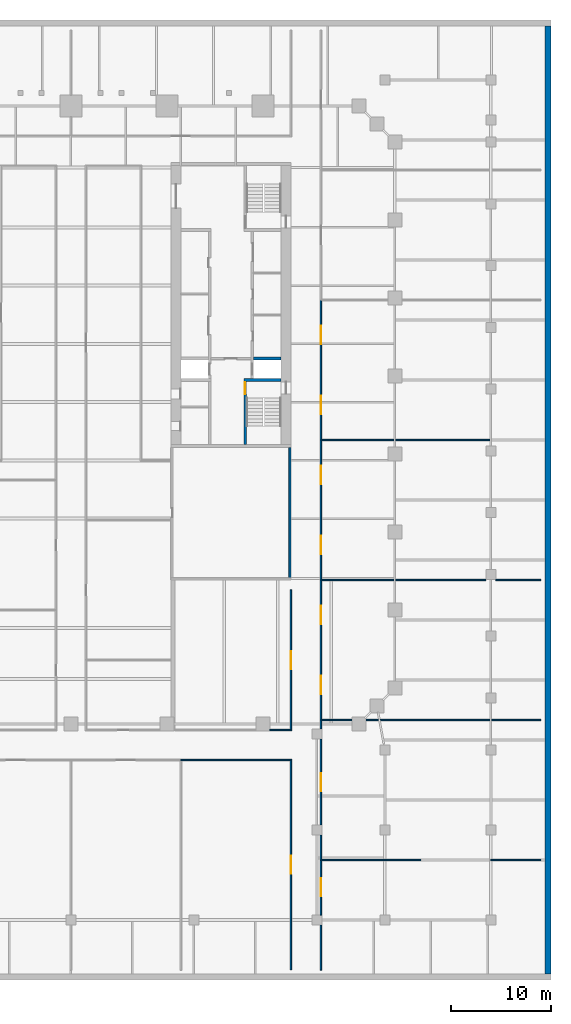
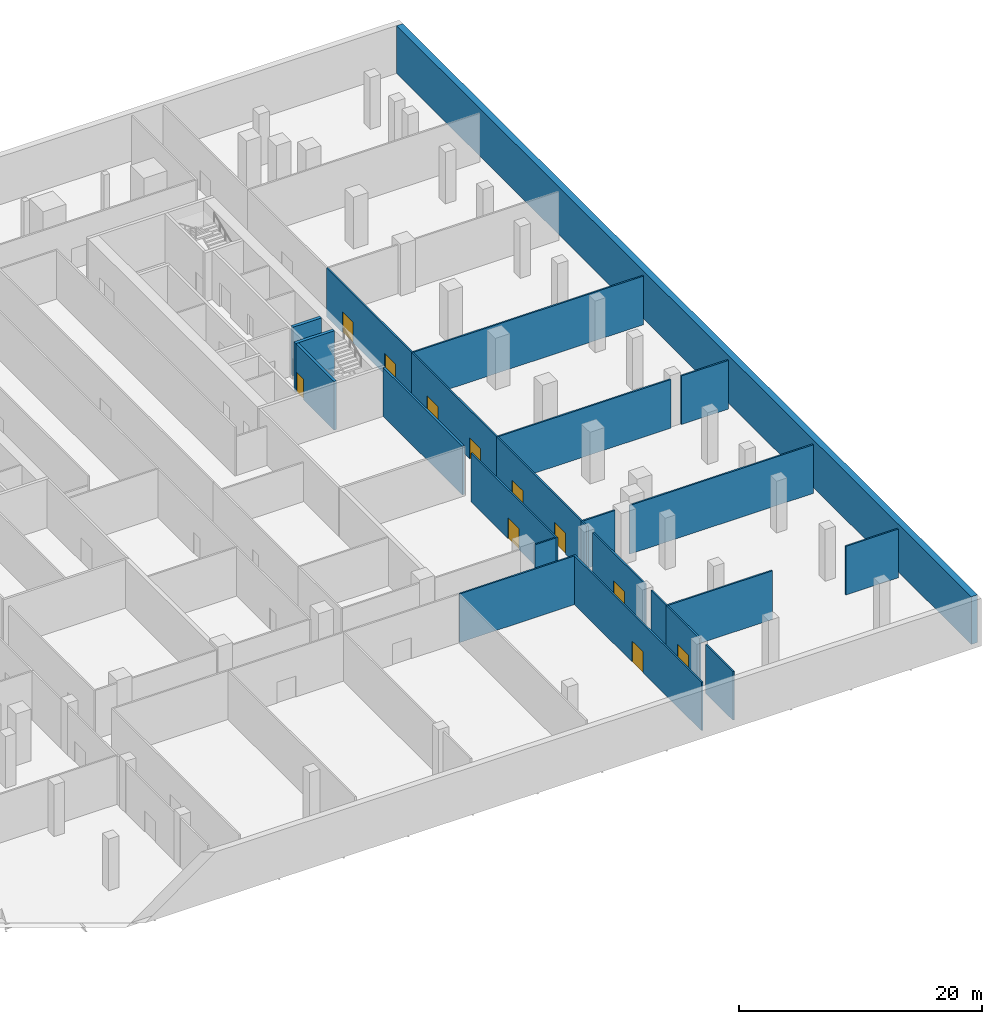
# One storey, part 10 of 15: 24 walls, 11 doors, 11 openings.
"""IFC4 building model written with IfcOpenShell, lengths in metres."""

from ifc_helpers import new_model, si_unit, direction, frame, frame_2d, origin, place, context, subcontext, project, spatial, rectangle, extrude, material, layer, layer_set, type_object, element, fill, save


model = new_model("IFC4")

# Units and contexts
model_context = context("Model", 3, precision=1e-05, world=origin(), true_north=direction((0.0, 1.0)))
body_context = subcontext(model_context, "Body", "Model", "MODEL_VIEW")
ifc_project = project(units=[si_unit("LENGTHUNIT", "METRE"), si_unit("AREAUNIT", "SQUARE_METRE"), si_unit("VOLUMEUNIT", "CUBIC_METRE"), si_unit("PLANEANGLEUNIT", "RADIAN"), si_unit("MASSUNIT", "GRAM", prefix="KILO")], contexts=[model_context])

# Site, building, storey
site_placement = place(None, origin())
site = spatial("IfcSite", under=ifc_project, at=site_placement, CompositionType="ELEMENT")
building_placement = place(site_placement, origin())
building = spatial("IfcBuilding", under=site, at=building_placement, Name="Ogive Exchange Tower", CompositionType="ELEMENT")
storey_placement = place(building_placement, frame((0.0, 0.0, -5.199951171875)))
storey = spatial("IfcBuildingStorey", under=building, at=storey_placement, Name="B1", CompositionType="ELEMENT", Elevation=-5.199951171875)

# Walls
ifc_material_1 = material(Name="Concrete C50/60", Category="concrete")
ifc_layer_1 = layer(ifc_material_1, 0.60009765625)
ifc_layer_set_1 = layer_set([ifc_layer_1], Name="Concrete C50/60 retaining wall 600")
wall_type_1 = type_object("IfcWallType", Name="Concrete C50/60 retaining wall 600", PredefinedType="SOLIDWALL", material=ifc_layer_set_1)
wall_1_placement = place(storey_placement, frame((47.699951171875, -55.39990234375, 0.0), z_axis=(0.0, 0.0, 1.0), x_axis=(0.0, 1.0, 0.0)))
element("IfcWall", 1, at=wall_1_placement, inside=storey, type_object=wall_type_1, Name="Retaining wall E", PredefinedType="SOLIDWALL", context=body_context, shape_type="SweptSolid", body=[
    extrude(rectangle(XDim=94.7998046875, YDim=0.60009765625, at=frame_2d((47.39990234375, 0.0))), origin(), (0.0, 0.0, 1.0), 4.800048828125),
])
ifc_material_2 = material(Name="Fire partition EI 60 150")
ifc_layer_2 = layer(ifc_material_2, 0.14990234375)
ifc_layer_set_2 = layer_set([ifc_layer_2], Name="Fire partition EI 60 150")
wall_type_2 = type_object("IfcWallType", Name="Fire partition EI 60 150", PredefinedType="PARTITIONING", material=ifc_layer_set_2)
wall_2_placement = place(storey_placement, frame((25.074951171875, -44.0, 0.0), z_axis=(0.0, 0.0, 1.0), x_axis=(1.0, 0.0, 0.0)))
element("IfcWall", 2, at=wall_2_placement, inside=storey, type_object=wall_type_2, Name="B1-PWL-001", PredefinedType="PARTITIONING", context=body_context, shape_type="SweptSolid", body=[
    extrude(rectangle(XDim=9.925048828125, YDim=0.14990234375, at=frame_2d((4.96240234375, 0.0))), origin(), (0.0, 0.0, 1.0), 4.89990234375),
])
wall_3_placement = place(storey_placement, frame((42.0, -44.0, 0.0), z_axis=(0.0, 0.0, 1.0), x_axis=(1.0, 0.0, 0.0)))
element("IfcWall", 3, at=wall_3_placement, inside=storey, type_object=wall_type_2, Name="B1-PWL-002", PredefinedType="PARTITIONING", context=body_context, shape_type="SweptSolid", body=[
    extrude(rectangle(XDim=5.0, YDim=0.14990234375, at=frame_2d((2.5, 0.0))), origin(), (0.0, 0.0, 1.0), 4.89990234375),
])
wall_4_placement = place(storey_placement, frame((11.0, -34.0, 0.0), z_axis=(0.0, 0.0, 1.0), x_axis=(1.0, 0.0, 0.0)))
element("IfcWall", 4, at=wall_4_placement, inside=storey, type_object=wall_type_2, Name="B1-PWL-007", PredefinedType="PARTITIONING", context=body_context, shape_type="SweptSolid", body=[
    extrude(rectangle(XDim=10.925048828125, YDim=0.14990234375, at=frame_2d((5.46240234375, 0.0))), origin(), (0.0, 0.0, 1.0), 4.89990234375),
])
wall_5_placement = place(storey_placement, frame((19.89990234375, -31.0, 0.0), z_axis=(0.0, 0.0, 1.0), x_axis=(1.0, 0.0, 0.0)))
element("IfcWall", 5, at=wall_5_placement, inside=storey, type_object=wall_type_2, Name="B1-PWL-013", PredefinedType="PARTITIONING", context=body_context, shape_type="SweptSolid", body=[
    extrude(rectangle(XDim=2.025146484375, YDim=0.14990234375, at=frame_2d((1.0126953125, 0.0))), origin(), (0.0, 0.0, 1.0), 4.89990234375),
])
wall_6_placement = place(storey_placement, frame((25.074951171875, -30.0, 0.0), z_axis=(0.0, 0.0, 1.0), x_axis=(1.0, 0.0, 0.0)))
element("IfcWall", 6, at=wall_6_placement, inside=storey, type_object=wall_type_2, Name="B1-PWL-014", PredefinedType="PARTITIONING", context=body_context, shape_type="SweptSolid", body=[
    extrude(rectangle(XDim=3.025146484375, YDim=0.14990234375, at=frame_2d((1.5126953125, 0.0))), origin(), (0.0, 0.0, 1.0), 4.89990234375),
])
wall_7_placement = place(storey_placement, frame((29.5, -30.0, 0.0), z_axis=(0.0, 0.0, 1.0), x_axis=(1.0, 0.0, 0.0)))
element("IfcWall", 7, at=wall_7_placement, inside=storey, type_object=wall_type_2, Name="B1-PWL-015", PredefinedType="PARTITIONING", context=body_context, shape_type="SweptSolid", body=[
    extrude(rectangle(XDim=17.5, YDim=0.14990234375, at=frame_2d((8.75, 0.0))), origin(), (0.0, 0.0, 1.0), 4.89990234375),
])
wall_8_placement = place(storey_placement, frame((25.074951171875, -16.0, 0.0), z_axis=(0.0, 0.0, 1.0), x_axis=(1.0, 0.0, 0.0)))
element("IfcWall", 8, at=wall_8_placement, inside=storey, type_object=wall_type_2, Name="B1-PWL-019", PredefinedType="PARTITIONING", context=body_context, shape_type="SweptSolid", body=[
    extrude(rectangle(XDim=16.425048828125, YDim=0.14990234375, at=frame_2d((8.21240234375, 0.0))), origin(), (0.0, 0.0, 1.0), 4.89990234375),
])
wall_9_placement = place(storey_placement, frame((42.5, -16.0, 0.0), z_axis=(0.0, 0.0, 1.0), x_axis=(1.0, 0.0, 0.0)))
element("IfcWall", 9, at=wall_9_placement, inside=storey, type_object=wall_type_2, Name="B1-PWL-020", PredefinedType="PARTITIONING", context=body_context, shape_type="SweptSolid", body=[
    extrude(rectangle(XDim=4.5, YDim=0.14990234375, at=frame_2d((2.25, 0.0))), origin(), (0.0, 0.0, 1.0), 4.89990234375),
])
wall_10_placement = place(storey_placement, frame((25.074951171875, -2.0, 0.0), z_axis=(0.0, 0.0, 1.0), x_axis=(1.0, 0.0, 0.0)))
element("IfcWall", 10, at=wall_10_placement, inside=storey, type_object=wall_type_2, Name="B1-PWL-026", PredefinedType="PARTITIONING", context=body_context, shape_type="SweptSolid", body=[
    extrude(rectangle(XDim=21.925048828125, YDim=0.14990234375, at=frame_2d((10.96240234375, 0.0))), origin(), (0.0, 0.0, 1.0), 4.89990234375),
])

# Wall, opening, door
wall_11_placement = place(storey_placement, frame((22.0, -55.0, 0.0), z_axis=(0.0, 0.0, 1.0), x_axis=(0.0, 1.0, 0.0)))
wall_11 = element("IfcWall", 11, at=wall_11_placement, inside=storey, type_object=wall_type_2, Name="B1-PWL-066", PredefinedType="PARTITIONING", context=body_context, shape_type="SweptSolid", body=[
    extrude(rectangle(XDim=21.074951171875, YDim=0.14990234375, at=frame_2d((10.53759765625, 0.0))), origin(), (0.0, 0.0, 1.0), 4.89990234375),
])
opening_1_placement = place(wall_11_placement, frame((9.637451171875, 0.0, 0.0)))
opening_1 = element("IfcOpeningElement", 12, at=opening_1_placement, cuts=wall_11, Name="Opening B1-I32", PredefinedType="OPENING", context=body_context, shape_type="SweptSolid", body=[
    extrude(rectangle(XDim=1.800048828125, YDim=2.10009765625, at=frame_2d((0.89990234375, 1.050048828125))), frame((0.0, 0.0849609375, 0.0), z_axis=(0.0, -1.0, 0.0), x_axis=(1.0, 0.0, 0.0)), (0.0, 0.0, 1.0), 0.169921875),
])
ifc_material_3 = material(Name="Fire door FD 30S 1800 x 2100")
door_type_1 = type_object("IfcDoorType", Name="Fire door FD 30S 1800 x 2100", OperationType="DOUBLE_DOOR_SINGLE_SWING", PredefinedType="DOOR", material=ifc_material_3)
door_1_placement = place(opening_1_placement, origin())
door_1 = element("IfcDoor", 13, at=door_1_placement, inside=storey, type_object=door_type_1, Name="B1-IDR-032", ObjectType="DT4", OperationType="SINGLE_SWING_RIGHT", OverallHeight=2.10009765625, OverallWidth=1.800048828125, PredefinedType="DOOR", context=body_context, shape_type="SweptSolid", body=[
    extrude(rectangle(XDim=1.800048828125, YDim=2.10009765625, at=frame_2d((0.89990234375, 1.050048828125))), frame((0.0, 0.02490234375, 0.0), z_axis=(0.0, -1.0, 0.0), x_axis=(1.0, 0.0, 0.0)), (0.0, 0.0, 1.0), 0.050048828125),
])
fill(opening_1, door_1)

wall_12_placement = place(storey_placement, frame((22.0, -31.074951171875, 0.0), z_axis=(0.0, 0.0, 1.0), x_axis=(0.0, 1.0, 0.0)))
wall_12 = element("IfcWall", 14, at=wall_12_placement, inside=storey, type_object=wall_type_2, Name="B1-PWL-067", PredefinedType="PARTITIONING", context=body_context, shape_type="SweptSolid", body=[
    extrude(rectangle(XDim=14.074951171875, YDim=0.14990234375, at=frame_2d((7.03759765625, 0.0))), origin(), (0.0, 0.0, 1.0), 4.89990234375),
])
opening_2_placement = place(wall_12_placement, frame((6.137451171875, 0.0, 0.0)))
opening_2 = element("IfcOpeningElement", 15, at=opening_2_placement, cuts=wall_12, Name="Opening B1-I28", PredefinedType="OPENING", context=body_context, shape_type="SweptSolid", body=[
    extrude(rectangle(XDim=1.800048828125, YDim=2.10009765625, at=frame_2d((0.89990234375, 1.050048828125))), frame((0.0, 0.0849609375, 0.0), z_axis=(0.0, -1.0, 0.0), x_axis=(1.0, 0.0, 0.0)), (0.0, 0.0, 1.0), 0.169921875),
])
door_2_placement = place(opening_2_placement, frame((1.800048828125, 0.0, 0.0), z_axis=(0.0, 0.0, 1.0), x_axis=(-1.0, 0.0, 0.0)))
door_2 = element("IfcDoor", 16, at=door_2_placement, inside=storey, type_object=door_type_1, Name="B1-IDR-028", ObjectType="DT4", OperationType="SINGLE_SWING_RIGHT", OverallHeight=2.10009765625, OverallWidth=1.800048828125, PredefinedType="DOOR", context=body_context, shape_type="SweptSolid", body=[
    extrude(rectangle(XDim=1.800048828125, YDim=2.10009765625, at=frame_2d((0.89990234375, 1.050048828125))), frame((0.0, 0.02490234375, 0.0), z_axis=(0.0, -1.0, 0.0), x_axis=(1.0, 0.0, 0.0)), (0.0, 0.0, 1.0), 0.050048828125),
])
fill(opening_2, door_2)

# Wall
wall_13_placement = place(storey_placement, frame((25.0, -55.0, 0.0), z_axis=(0.0, 0.0, 1.0), x_axis=(0.0, 1.0, 0.0)))
element("IfcWall", 17, at=wall_13_placement, inside=storey, type_object=wall_type_2, Name="B1-PWL-069", PredefinedType="PARTITIONING", context=body_context, shape_type="SweptSolid", body=[
    extrude(rectangle(XDim=4.5, YDim=0.14990234375, at=frame_2d((2.25, 0.0))), origin(), (0.0, 0.0, 1.0), 4.89990234375),
])

# Wall, opening, door
wall_14_placement = place(storey_placement, frame((25.0, -49.5, 0.0), z_axis=(0.0, 0.0, 1.0), x_axis=(0.0, 1.0, 0.0)))
wall_14 = element("IfcWall", 18, at=wall_14_placement, inside=storey, type_object=wall_type_2, Name="B1-PWL-070", PredefinedType="PARTITIONING", context=body_context, shape_type="SweptSolid", body=[
    extrude(rectangle(XDim=5.5, YDim=0.14990234375, at=frame_2d((2.75, 0.0))), origin(), (0.0, 0.0, 1.0), 4.89990234375),
])
opening_3_placement = place(wall_14_placement, frame((1.85009765625, 0.0, 0.0)))
opening_3 = element("IfcOpeningElement", 19, at=opening_3_placement, cuts=wall_14, Name="Opening B1-I11", PredefinedType="OPENING", context=body_context, shape_type="SweptSolid", body=[
    extrude(rectangle(XDim=1.800048828125, YDim=2.10009765625, at=frame_2d((0.89990234375, 1.050048828125))), frame((0.0, 0.0849609375, 0.0), z_axis=(0.0, -1.0, 0.0), x_axis=(1.0, 0.0, 0.0)), (0.0, 0.0, 1.0), 0.169921875),
])
door_3_placement = place(opening_3_placement, frame((1.800048828125, 0.0, 0.0), z_axis=(0.0, 0.0, 1.0), x_axis=(-1.0, 0.0, 0.0)))
door_3 = element("IfcDoor", 20, at=door_3_placement, inside=storey, type_object=door_type_1, Name="B1-IDR-011", ObjectType="DT4", OperationType="SINGLE_SWING_RIGHT", OverallHeight=2.10009765625, OverallWidth=1.800048828125, PredefinedType="DOOR", context=body_context, shape_type="SweptSolid", body=[
    extrude(rectangle(XDim=1.800048828125, YDim=2.10009765625, at=frame_2d((0.89990234375, 1.050048828125))), frame((0.0, 0.02490234375, 0.0), z_axis=(0.0, -1.0, 0.0), x_axis=(1.0, 0.0, 0.0)), (0.0, 0.0, 1.0), 0.050048828125),
])
fill(opening_3, door_3)

# Wall
wall_15_placement = place(storey_placement, frame((25.0, -44.0, 0.0), z_axis=(0.0, 0.0, 1.0), x_axis=(0.0, 1.0, 0.0)))
element("IfcWall", 21, at=wall_15_placement, inside=storey, type_object=wall_type_2, Name="B1-PWL-071", PredefinedType="PARTITIONING", context=body_context, shape_type="SweptSolid", body=[
    extrude(rectangle(XDim=2.5, YDim=0.14990234375, at=frame_2d((1.25, 0.0))), origin(), (0.0, 0.0, 1.0), 4.89990234375),
])

# Wall, opening, door
wall_16_placement = place(storey_placement, frame((25.0, -40.5, 0.0), z_axis=(0.0, 0.0, 1.0), x_axis=(0.0, 1.0, 0.0)))
wall_16 = element("IfcWall", 22, at=wall_16_placement, inside=storey, type_object=wall_type_2, Name="B1-PWL-072", PredefinedType="PARTITIONING", context=body_context, shape_type="SweptSolid", body=[
    extrude(rectangle(XDim=8.60009765625, YDim=0.14990234375, at=frame_2d((4.300048828125, 0.0))), origin(), (0.0, 0.0, 1.0), 4.89990234375),
])
opening_4_placement = place(wall_16_placement, frame((3.39990234375, 0.0, 0.0)))
opening_4 = element("IfcOpeningElement", 23, at=opening_4_placement, cuts=wall_16, Name="Opening B1-I12", PredefinedType="OPENING", context=body_context, shape_type="SweptSolid", body=[
    extrude(rectangle(XDim=1.800048828125, YDim=2.10009765625, at=frame_2d((0.89990234375, 1.050048828125))), frame((0.0, 0.0849609375, 0.0), z_axis=(0.0, -1.0, 0.0), x_axis=(1.0, 0.0, 0.0)), (0.0, 0.0, 1.0), 0.169921875),
])
door_4_placement = place(opening_4_placement, origin())
door_4 = element("IfcDoor", 24, at=door_4_placement, inside=storey, type_object=door_type_1, Name="B1-IDR-012", ObjectType="DT4", OperationType="SINGLE_SWING_RIGHT", OverallHeight=2.10009765625, OverallWidth=1.800048828125, PredefinedType="DOOR", context=body_context, shape_type="SweptSolid", body=[
    extrude(rectangle(XDim=1.800048828125, YDim=2.10009765625, at=frame_2d((0.89990234375, 1.050048828125))), frame((0.0, 0.02490234375, 0.0), z_axis=(0.0, -1.0, 0.0), x_axis=(1.0, 0.0, 0.0)), (0.0, 0.0, 1.0), 0.050048828125),
])
fill(opening_4, door_4)

# Wall
wall_17_placement = place(storey_placement, frame((25.0, -30.89990234375, 0.0), z_axis=(0.0, 0.0, 1.0), x_axis=(0.0, 1.0, 0.0)))
element("IfcWall", 25, at=wall_17_placement, inside=storey, type_object=wall_type_2, Name="B1-PWL-073", PredefinedType="PARTITIONING", context=body_context, shape_type="SweptSolid", body=[
    extrude(rectangle(XDim=0.89990234375, YDim=0.14990234375, at=frame_2d((0.449951171875, 0.0))), origin(), (0.0, 0.0, 1.0), 4.89990234375),
])

# Wall, openings, doors
wall_18_placement = place(storey_placement, frame((25.0, -30.0, 0.0), z_axis=(0.0, 0.0, 1.0), x_axis=(0.0, 1.0, 0.0)))
wall_18 = element("IfcWall", 26, at=wall_18_placement, inside=storey, type_object=wall_type_2, Name="B1-PWL-074", PredefinedType="PARTITIONING", context=body_context, shape_type="SweptSolid", body=[
    extrude(rectangle(XDim=14.0, YDim=0.14990234375, at=frame_2d((7.0, 0.0))), origin(), (0.0, 0.0, 1.0), 4.89990234375),
])
opening_5_placement = place(wall_18_placement, frame((2.60009765625, 0.0, 0.0)))
opening_5 = element("IfcOpeningElement", 27, at=opening_5_placement, cuts=wall_18, Name="Opening B1-I13", PredefinedType="OPENING", context=body_context, shape_type="SweptSolid", body=[
    extrude(rectangle(XDim=1.800048828125, YDim=2.10009765625, at=frame_2d((0.89990234375, 1.050048828125))), frame((0.0, 0.0849609375, 0.0), z_axis=(0.0, -1.0, 0.0), x_axis=(1.0, 0.0, 0.0)), (0.0, 0.0, 1.0), 0.169921875),
])
opening_6_placement = place(wall_18_placement, frame((9.60009765625, 0.0, 0.0)))
opening_6 = element("IfcOpeningElement", 28, at=opening_6_placement, cuts=wall_18, Name="Opening B1-I14", PredefinedType="OPENING", context=body_context, shape_type="SweptSolid", body=[
    extrude(rectangle(XDim=1.800048828125, YDim=2.10009765625, at=frame_2d((0.89990234375, 1.050048828125))), frame((0.0, 0.0849609375, 0.0), z_axis=(0.0, -1.0, 0.0), x_axis=(1.0, 0.0, 0.0)), (0.0, 0.0, 1.0), 0.169921875),
])
door_5_placement = place(opening_5_placement, origin())
door_5 = element("IfcDoor", 29, at=door_5_placement, inside=storey, type_object=door_type_1, Name="B1-IDR-013", ObjectType="DT4", OperationType="SINGLE_SWING_RIGHT", OverallHeight=2.10009765625, OverallWidth=1.800048828125, PredefinedType="DOOR", context=body_context, shape_type="SweptSolid", body=[
    extrude(rectangle(XDim=1.800048828125, YDim=2.10009765625, at=frame_2d((0.89990234375, 1.050048828125))), frame((0.0, 0.02490234375, 0.0), z_axis=(0.0, -1.0, 0.0), x_axis=(1.0, 0.0, 0.0)), (0.0, 0.0, 1.0), 0.050048828125),
])
fill(opening_5, door_5)
door_6_placement = place(opening_6_placement, origin())
door_6 = element("IfcDoor", 30, at=door_6_placement, inside=storey, type_object=door_type_1, Name="B1-IDR-014", ObjectType="DT4", OperationType="SINGLE_SWING_LEFT", OverallHeight=2.10009765625, OverallWidth=1.800048828125, PredefinedType="DOOR", context=body_context, shape_type="SweptSolid", body=[
    extrude(rectangle(XDim=1.800048828125, YDim=2.10009765625, at=frame_2d((0.89990234375, 1.050048828125))), frame((0.0, 0.02490234375, 0.0), z_axis=(0.0, -1.0, 0.0), x_axis=(1.0, 0.0, 0.0)), (0.0, 0.0, 1.0), 0.050048828125),
])
fill(opening_6, door_6)

wall_19_placement = place(storey_placement, frame((25.0, -16.0, 0.0), z_axis=(0.0, 0.0, 1.0), x_axis=(0.0, 1.0, 0.0)))
wall_19 = element("IfcWall", 31, at=wall_19_placement, inside=storey, type_object=wall_type_2, Name="B1-PWL-075", PredefinedType="PARTITIONING", context=body_context, shape_type="SweptSolid", body=[
    extrude(rectangle(XDim=14.0, YDim=0.14990234375, at=frame_2d((7.0, 0.0))), origin(), (0.0, 0.0, 1.0), 4.89990234375),
])
opening_7_placement = place(wall_19_placement, frame((2.60009765625, 0.0, 0.0)))
opening_7 = element("IfcOpeningElement", 32, at=opening_7_placement, cuts=wall_19, Name="Opening B1-I15", PredefinedType="OPENING", context=body_context, shape_type="SweptSolid", body=[
    extrude(rectangle(XDim=1.800048828125, YDim=2.10009765625, at=frame_2d((0.89990234375, 1.050048828125))), frame((0.0, 0.0849609375, 0.0), z_axis=(0.0, -1.0, 0.0), x_axis=(1.0, 0.0, 0.0)), (0.0, 0.0, 1.0), 0.169921875),
])
opening_8_placement = place(wall_19_placement, frame((9.60009765625, 0.0, 0.0)))
opening_8 = element("IfcOpeningElement", 33, at=opening_8_placement, cuts=wall_19, Name="Opening B1-I16", PredefinedType="OPENING", context=body_context, shape_type="SweptSolid", body=[
    extrude(rectangle(XDim=1.800048828125, YDim=2.10009765625, at=frame_2d((0.89990234375, 1.050048828125))), frame((0.0, 0.0849609375, 0.0), z_axis=(0.0, -1.0, 0.0), x_axis=(1.0, 0.0, 0.0)), (0.0, 0.0, 1.0), 0.169921875),
])
door_7_placement = place(opening_7_placement, origin())
door_7 = element("IfcDoor", 34, at=door_7_placement, inside=storey, type_object=door_type_1, Name="B1-IDR-015", ObjectType="DT4", OperationType="SINGLE_SWING_LEFT", OverallHeight=2.10009765625, OverallWidth=1.800048828125, PredefinedType="DOOR", context=body_context, shape_type="SweptSolid", body=[
    extrude(rectangle(XDim=1.800048828125, YDim=2.10009765625, at=frame_2d((0.89990234375, 1.050048828125))), frame((0.0, 0.02490234375, 0.0), z_axis=(0.0, -1.0, 0.0), x_axis=(1.0, 0.0, 0.0)), (0.0, 0.0, 1.0), 0.050048828125),
])
fill(opening_7, door_7)
door_8_placement = place(opening_8_placement, origin())
door_8 = element("IfcDoor", 35, at=door_8_placement, inside=storey, type_object=door_type_1, Name="B1-IDR-016", ObjectType="DT4", OperationType="SINGLE_SWING_LEFT", OverallHeight=2.10009765625, OverallWidth=1.800048828125, PredefinedType="DOOR", context=body_context, shape_type="SweptSolid", body=[
    extrude(rectangle(XDim=1.800048828125, YDim=2.10009765625, at=frame_2d((0.89990234375, 1.050048828125))), frame((0.0, 0.02490234375, 0.0), z_axis=(0.0, -1.0, 0.0), x_axis=(1.0, 0.0, 0.0)), (0.0, 0.0, 1.0), 0.050048828125),
])
fill(opening_8, door_8)

wall_20_placement = place(storey_placement, frame((25.0, -2.0, 0.0), z_axis=(0.0, 0.0, 1.0), x_axis=(0.0, 1.0, 0.0)))
wall_20 = element("IfcWall", 36, at=wall_20_placement, inside=storey, type_object=wall_type_2, Name="B1-PWL-076", PredefinedType="PARTITIONING", context=body_context, shape_type="SweptSolid", body=[
    extrude(rectangle(XDim=14.0, YDim=0.14990234375, at=frame_2d((7.0, 0.0))), origin(), (0.0, 0.0, 1.0), 4.89990234375),
])
opening_9_placement = place(wall_20_placement, frame((2.60009765625, 0.0, 0.0)))
opening_9 = element("IfcOpeningElement", 37, at=opening_9_placement, cuts=wall_20, Name="Opening B1-I17", PredefinedType="OPENING", context=body_context, shape_type="SweptSolid", body=[
    extrude(rectangle(XDim=1.800048828125, YDim=2.10009765625, at=frame_2d((0.89990234375, 1.050048828125))), frame((0.0, 0.0849609375, 0.0), z_axis=(0.0, -1.0, 0.0), x_axis=(1.0, 0.0, 0.0)), (0.0, 0.0, 1.0), 0.169921875),
])
opening_10_placement = place(wall_20_placement, frame((9.60009765625, 0.0, 0.0)))
opening_10 = element("IfcOpeningElement", 38, at=opening_10_placement, cuts=wall_20, Name="Opening B1-I18", PredefinedType="OPENING", context=body_context, shape_type="SweptSolid", body=[
    extrude(rectangle(XDim=1.800048828125, YDim=2.10009765625, at=frame_2d((0.89990234375, 1.050048828125))), frame((0.0, 0.0849609375, 0.0), z_axis=(0.0, -1.0, 0.0), x_axis=(1.0, 0.0, 0.0)), (0.0, 0.0, 1.0), 0.169921875),
])
door_9_placement = place(opening_9_placement, origin())
door_9 = element("IfcDoor", 39, at=door_9_placement, inside=storey, type_object=door_type_1, Name="B1-IDR-017", ObjectType="DT4", OperationType="SINGLE_SWING_LEFT", OverallHeight=2.10009765625, OverallWidth=1.800048828125, PredefinedType="DOOR", context=body_context, shape_type="SweptSolid", body=[
    extrude(rectangle(XDim=1.800048828125, YDim=2.10009765625, at=frame_2d((0.89990234375, 1.050048828125))), frame((0.0, 0.02490234375, 0.0), z_axis=(0.0, -1.0, 0.0), x_axis=(1.0, 0.0, 0.0)), (0.0, 0.0, 1.0), 0.050048828125),
])
fill(opening_9, door_9)
door_10_placement = place(opening_10_placement, origin())
door_10 = element("IfcDoor", 40, at=door_10_placement, inside=storey, type_object=door_type_1, Name="B1-IDR-018", ObjectType="DT4", OperationType="SINGLE_SWING_RIGHT", OverallHeight=2.10009765625, OverallWidth=1.800048828125, PredefinedType="DOOR", context=body_context, shape_type="SweptSolid", body=[
    extrude(rectangle(XDim=1.800048828125, YDim=2.10009765625, at=frame_2d((0.89990234375, 1.050048828125))), frame((0.0, 0.02490234375, 0.0), z_axis=(0.0, -1.0, 0.0), x_axis=(1.0, 0.0, 0.0)), (0.0, 0.0, 1.0), 0.050048828125),
])
fill(opening_10, door_10)

# Wall
ifc_material_4 = material(Name="Concrete C70/85", Category="concrete")
ifc_layer_3 = layer(ifc_material_4, 0.199951171875)
ifc_layer_set_3 = layer_set([ifc_layer_3], Name="RC core wall 200 C70/85")
wall_type_3 = type_object("IfcWallType", Name="RC core wall 200 C70/85", PredefinedType="SHEAR", material=ifc_layer_set_3)
wall_21_placement = place(storey_placement, frame((21.89990234375, -15.800048828125, 0.0), z_axis=(0.0, 0.0, 1.0), x_axis=(0.0, 1.0, 0.0)))
element("IfcWall", 41, at=wall_21_placement, inside=storey, type_object=wall_type_3, Name="E annex S outer wall", PredefinedType="SHEAR", context=body_context, shape_type="SweptSolid", body=[
    extrude(rectangle(XDim=13.050048828125, YDim=0.199951171875, at=frame_2d((6.52490234375, 0.0))), origin(), (0.0, 0.0, 1.0), 4.89990234375),
])

# Wall, opening, door
ifc_layer_4 = layer(ifc_material_4, 0.25)
ifc_layer_set_4 = layer_set([ifc_layer_4], Name="RC core wall 250 C70/85")
wall_type_4 = type_object("IfcWallType", Name="RC core wall 250 C70/85", PredefinedType="SHEAR", material=ifc_layer_set_4)
wall_22_placement = place(storey_placement, frame((17.425048828125, -2.449951171875, 0.0), z_axis=(0.0, 0.0, 1.0), x_axis=(0.0, 1.0, 0.0)))
wall_22 = element("IfcWall", 42, at=wall_22_placement, inside=storey, type_object=wall_type_4, Name="E stair S front wall", PredefinedType="SHEAR", context=body_context, shape_type="SweptSolid", body=[
    extrude(rectangle(XDim=6.300048828125, YDim=0.25, at=frame_2d((3.14990234375, 0.0))), origin(), (0.0, 0.0, 1.0), 4.89990234375),
])
opening_11_placement = place(wall_22_placement, frame((5.050048828125, 0.0, 0.0)))
opening_11 = element("IfcOpeningElement", 43, at=opening_11_placement, cuts=wall_22, Name="Opening B1-C27", PredefinedType="OPENING", context=body_context, shape_type="SweptSolid", body=[
    extrude(rectangle(XDim=1.199951171875, YDim=2.10009765625, at=frame_2d((0.60009765625, 1.050048828125))), frame((0.0, 0.135009765625, 0.0), z_axis=(0.0, -1.0, 0.0), x_axis=(1.0, 0.0, 0.0)), (0.0, 0.0, 1.0), 0.27001953125),
])
ifc_material_5 = material(Name="Steel fire door", Category="steel")
door_type_2 = type_object("IfcDoorType", Name="Stair door FD90 1200 x 2100", OperationType="NOTDEFINED", PredefinedType="DOOR", material=ifc_material_5)
door_11_placement = place(opening_11_placement, frame((1.199951171875, 0.0, 0.0), z_axis=(0.0, 0.0, 1.0), x_axis=(-1.0, 0.0, 0.0)))
door_11 = element("IfcDoor", 44, at=door_11_placement, inside=storey, type_object=door_type_2, Name="Stair door", ObjectType="CD5", OperationType="SINGLE_SWING_RIGHT", OverallHeight=2.10009765625, OverallWidth=1.199951171875, PredefinedType="DOOR", context=body_context, shape_type="SweptSolid", body=[
    extrude(rectangle(XDim=1.199951171875, YDim=2.10009765625, at=frame_2d((0.60009765625, 1.050048828125))), frame((0.0, 0.02490234375, 0.0), z_axis=(0.0, -1.0, 0.0), x_axis=(1.0, 0.0, 0.0)), (0.0, 0.0, 1.0), 0.050048828125),
])
fill(opening_11, door_11)

# Walls
ifc_layer_5 = layer(ifc_material_4, 0.300048828125)
ifc_layer_set_5 = layer_set([ifc_layer_5], Name="RC core wall 300 C70/85")
wall_type_5 = type_object("IfcWallType", Name="RC core wall 300 C70/85", PredefinedType="SHEAR", material=ifc_layer_set_5)
wall_23_placement = place(storey_placement, frame((17.300048828125, 4.0, 0.0), z_axis=(0.0, 0.0, 1.0), x_axis=(1.0, 0.0, 0.0)))
element("IfcWall", 45, at=wall_23_placement, inside=storey, type_object=wall_type_5, Name="E stair S north wall", PredefinedType="SHEAR", context=body_context, shape_type="SweptSolid", body=[
    extrude(rectangle(XDim=3.699951171875, YDim=0.300048828125, at=frame_2d((1.85009765625, 0.0))), origin(), (0.0, 0.0, 1.0), 4.89990234375),
])
wall_24_placement = place(storey_placement, frame((18.25, 6.142822265625, 0.0), z_axis=(0.0, 0.0, 1.0), x_axis=(1.0, 0.0, 0.0)))
element("IfcWall", 46, at=wall_24_placement, inside=storey, type_object=wall_type_5, Name="E row A divider 1", PredefinedType="SHEAR", context=body_context, shape_type="SweptSolid", body=[
    extrude(rectangle(XDim=2.75, YDim=0.300048828125, at=frame_2d((1.375, 0.0))), origin(), (0.0, 0.0, 1.0), 4.89990234375),
])

save(model, "model.ifc")
